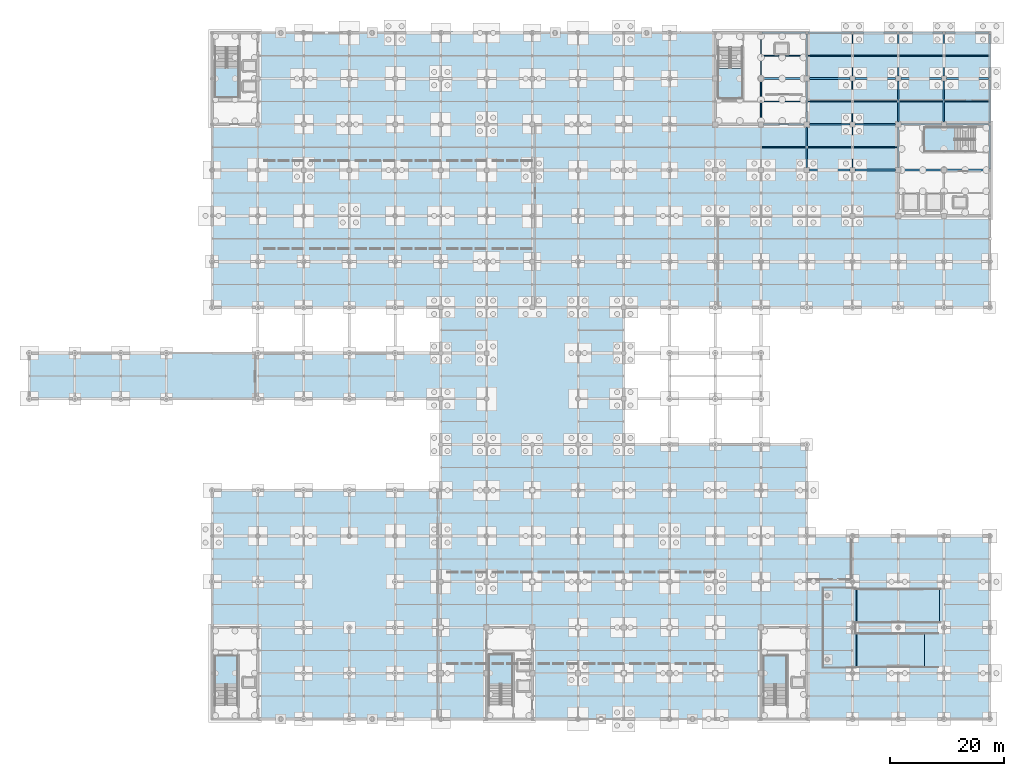
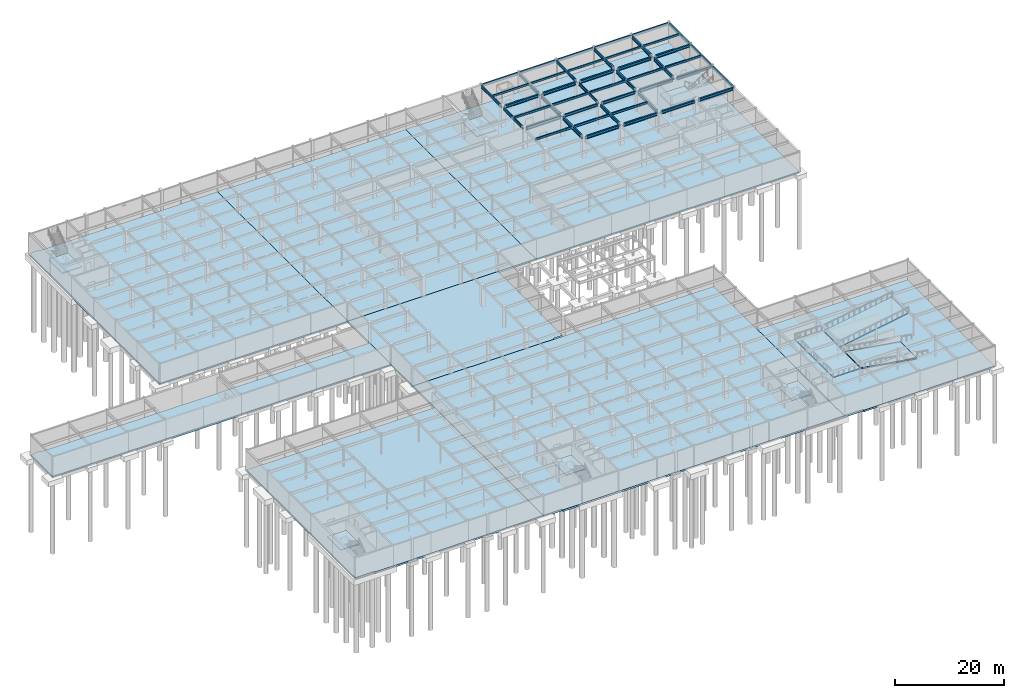
# One storey, part 53 of 105: 48 beams, 17 slabs, 6 elements without a shape of their own.
"""IFC4 building model written with IfcOpenShell, lengths in metres."""

from ifc_helpers import new_model, si_unit, direction, frame, origin, origin_2d, place, context, subcontext, project, spatial, polyline, hollow_rectangle, i_section, outline, extrude, material, layer, layer_set, material_profile, profile_set, type_object, element, aggregate, save


model = new_model("IFC4")

# Units and contexts
model_context = context("Model", 3, precision=1e-05, world=origin(), true_north=direction((0.0, 1.0)))
body_context = subcontext(model_context, "Body", "Model", "MODEL_VIEW")
ifc_project = project(units=[si_unit("LENGTHUNIT", "METRE"), si_unit("AREAUNIT", "SQUARE_METRE"), si_unit("VOLUMEUNIT", "CUBIC_METRE"), si_unit("PLANEANGLEUNIT", "RADIAN"), si_unit("MASSUNIT", "GRAM", prefix="KILO")], contexts=[model_context])

# Site, building, storey
site_placement = place(None, origin())
site = spatial("IfcSite", under=ifc_project, at=site_placement, CompositionType="ELEMENT")
building_placement = place(site_placement, origin())
building = spatial("IfcBuilding", under=site, at=building_placement, Name="Solmirada Galleria", CompositionType="ELEMENT")
storey_placement = place(building_placement, frame((0.0, 0.0, -4.800048828125)))
storey = spatial("IfcBuildingStorey", under=building, at=storey_placement, Name="B1", CompositionType="ELEMENT", Elevation=-4.800048828125)

# Beams
ifc_material_1 = material(Name="Steel S355 / ASTM A992 Grade 50", Category="steel")
ifc_material_profile_1 = material_profile(ifc_material_1, i_section(OverallWidth=0.323974609375, OverallDepth=0.611083984375, WebThickness=0.0126953125, FlangeThickness=0.01904296875, FilletRadius=0.014892578125, at=origin_2d()), Name="W24X104")
ifc_profile_set_1 = profile_set([ifc_material_profile_1], Name="Steel S355 / ASTM A992 Grade 50")
beam_type_1 = type_object("IfcBeamType", Name="BM-GIRD-W24A", PredefinedType="BEAM", material=ifc_profile_set_1)
for number, where, z_axis, x_axis, name in (
    (1, (136.449951171875, 112.0, 4.194580078125), (1.0, 0.0, 0.0), (0.0, 1.0, 0.0), "Primary beam L00 X(136..144, 112)"),
    (2, (144.449951171875, 96.0, 4.194580078125), (1.0, 0.0, 0.0), (0.0, 1.0, 0.0), "Primary beam L00 X(144..152, 96)"),
    (3, (144.449951171875, 112.0, 4.194580078125), (1.0, 0.0, 0.0), (0.0, 1.0, 0.0), "Primary beam L00 X(144..152, 112)"),
    (4, (152.449951171875, 96.0, 4.194580078125), (1.0, 0.0, 0.0), (0.0, 1.0, 0.0), "Primary beam L00 X(152..160, 96)"),
    (5, (152.449951171875, 112.0, 4.194580078125), (1.0, 0.0, 0.0), (0.0, 1.0, 0.0), "Primary beam L00 X(152..160, 112)"),
    (6, (160.449951171875, 96.0, 4.194580078125), (1.0, 0.0, 0.0), (0.0, 1.0, 0.0), "Primary beam L00 X(160..168, 96)"),
    (7, (160.449951171875, 112.0, 4.194580078125), (1.0, 0.0, 0.0), (0.0, 1.0, 0.0), "Primary beam L00 X(160..168, 112)"),
):
    element("IfcBeam", number, at=place(storey_placement, frame(where, z_axis=z_axis, x_axis=x_axis)), inside=storey, type_object=beam_type_1, Name=name, PredefinedType="BEAM", context=body_context, shape_type="SweptSolid", body=[
        extrude(i_section(OverallWidth=0.323974609375, OverallDepth=0.611083984375, WebThickness=0.0126953125, FlangeThickness=0.01904296875, FilletRadius=0.014892578125, at=origin_2d()), origin(), (0.0, 0.0, 1.0), 7.10009765625),
    ])
for number, where, z_axis, x_axis, name in (
    (8, (168.449951171875, 96.0, 4.194580078125), (1.0, 0.0, 0.0), (0.0, 1.0, 0.0), "Primary beam L00 X(168..176, 96)"),
    (9, (168.449951171875, 112.0, 4.194580078125), (1.0, 0.0, 0.0), (0.0, 1.0, 0.0), "Primary beam L00 X(168..176, 112)"),
):
    element("IfcBeam", number, at=place(storey_placement, frame(where, z_axis=z_axis, x_axis=x_axis)), inside=storey, type_object=beam_type_1, Name=name, PredefinedType="BEAM", context=body_context, shape_type="SweptSolid", body=[
        extrude(i_section(OverallWidth=0.323974609375, OverallDepth=0.611083984375, WebThickness=0.0126953125, FlangeThickness=0.01904296875, FilletRadius=0.014892578125, at=origin_2d()), origin(), (0.0, 0.0, 1.0), 7.34716796875),
    ])
ifc_material_profile_2 = material_profile(ifc_material_1, i_section(OverallWidth=0.22900390625, OverallDepth=0.612060546875, WebThickness=0.011962890625, FlangeThickness=0.01953125, FilletRadius=0.014892578125, at=origin_2d()), Name="W24X84")
ifc_profile_set_2 = profile_set([ifc_material_profile_2], Name="Steel S355 / ASTM A992 Grade 50")
beam_type_2 = type_object("IfcBeamType", Name="BM-GIRD-W24B", PredefinedType="BEAM", material=ifc_profile_set_2)
for number, where, z_axis, x_axis, name in (
    (10, (136.449951171875, 104.0, 4.194091796875), (1.0, 0.0, 0.0), (0.0, 1.0, 0.0), "Primary beam L00 X(136..144, 104)"),
    (11, (144.449951171875, 104.0, 4.194091796875), (1.0, 0.0, 0.0), (0.0, 1.0, 0.0), "Primary beam L00 X(144..152, 104)"),
    (12, (152.449951171875, 104.0, 4.194091796875), (1.0, 0.0, 0.0), (0.0, 1.0, 0.0), "Primary beam L00 X(152..160, 104)"),
    (13, (160.449951171875, 104.0, 4.194091796875), (1.0, 0.0, 0.0), (0.0, 1.0, 0.0), "Primary beam L00 X(160..168, 104)"),
):
    element("IfcBeam", number, at=place(storey_placement, frame(where, z_axis=z_axis, x_axis=x_axis)), inside=storey, type_object=beam_type_2, Name=name, PredefinedType="BEAM", context=body_context, shape_type="SweptSolid", body=[
        extrude(i_section(OverallWidth=0.22900390625, OverallDepth=0.612060546875, WebThickness=0.011962890625, FlangeThickness=0.01953125, FilletRadius=0.014892578125, at=origin_2d()), origin(), (0.0, 0.0, 1.0), 7.10009765625),
    ])
beam_1_placement = place(storey_placement, frame((168.449951171875, 104.0, 4.194091796875), z_axis=(1.0, 0.0, 0.0), x_axis=(0.0, 1.0, 0.0)))
element("IfcBeam", 14, at=beam_1_placement, inside=storey, type_object=beam_type_2, Name="Primary beam L00 X(168..176, 104)", PredefinedType="BEAM", context=body_context, shape_type="SweptSolid", body=[
    extrude(i_section(OverallWidth=0.22900390625, OverallDepth=0.612060546875, WebThickness=0.011962890625, FlangeThickness=0.01953125, FilletRadius=0.014892578125, at=origin_2d()), origin(), (0.0, 0.0, 1.0), 7.34716796875),
])
ifc_material_profile_3 = material_profile(ifc_material_1, i_section(OverallWidth=0.22802734375, OverallDepth=0.60302734375, WebThickness=0.010498046875, FlangeThickness=0.014892578125, FilletRadius=0.014892578125, at=origin_2d()), Name="W24X68")
ifc_profile_set_3 = profile_set([ifc_material_profile_3], Name="Steel S355 / ASTM A992 Grade 50")
beam_type_3 = type_object("IfcBeamType", Name="BM-GIRD-W24C", PredefinedType="BEAM", material=ifc_profile_set_3)
beam_2_placement = place(storey_placement, frame((136.0, 112.449951171875, 4.198486328125), z_axis=(0.0, 1.0, 0.0), x_axis=(-1.0, 0.0, 0.0)))
element("IfcBeam", 15, at=beam_2_placement, inside=storey, type_object=beam_type_3, Name="Primary girder L00 Y(136, 112..120)", PredefinedType="BEAM", context=body_context, shape_type="SweptSolid", body=[
    extrude(i_section(OverallWidth=0.22802734375, OverallDepth=0.60302734375, WebThickness=0.010498046875, FlangeThickness=0.014892578125, FilletRadius=0.014892578125, at=origin_2d()), origin(), (0.0, 0.0, 1.0), 7.34716796875),
])
beam_3_placement = place(storey_placement, frame((152.0, 96.449951171875, 4.198486328125), z_axis=(0.0, 1.0, 0.0), x_axis=(-1.0, 0.0, 0.0)))
element("IfcBeam", 16, at=beam_3_placement, inside=storey, type_object=beam_type_3, Name="Primary girder L00 Y(152, 96..104)", PredefinedType="BEAM", context=body_context, shape_type="SweptSolid", body=[
    extrude(i_section(OverallWidth=0.22802734375, OverallDepth=0.60302734375, WebThickness=0.010498046875, FlangeThickness=0.014892578125, FilletRadius=0.014892578125, at=origin_2d()), origin(), (0.0, 0.0, 1.0), 7.10009765625),
])
beam_4_placement = place(storey_placement, frame((152.0, 112.449951171875, 4.198486328125), z_axis=(0.0, 1.0, 0.0), x_axis=(-1.0, 0.0, 0.0)))
element("IfcBeam", 17, at=beam_4_placement, inside=storey, type_object=beam_type_3, Name="Primary girder L00 Y(152, 112..120)", PredefinedType="BEAM", context=body_context, shape_type="SweptSolid", body=[
    extrude(i_section(OverallWidth=0.22802734375, OverallDepth=0.60302734375, WebThickness=0.010498046875, FlangeThickness=0.014892578125, FilletRadius=0.014892578125, at=origin_2d()), origin(), (0.0, 0.0, 1.0), 7.34716796875),
])
ifc_material_profile_4 = material_profile(ifc_material_1, i_section(OverallWidth=0.177978515625, OverallDepth=0.59912109375, WebThickness=0.010009765625, FlangeThickness=0.0126953125, FilletRadius=0.013916015625, at=origin_2d()), Name="W24X55")
ifc_profile_set_4 = profile_set([ifc_material_profile_4], Name="Steel S355 / ASTM A992 Grade 50")
beam_type_4 = type_object("IfcBeamType", Name="BM-GIRD-W24D", PredefinedType="BEAM", material=ifc_profile_set_4)
for number, where, z_axis, x_axis, name in (
    (18, (136.0, 104.449951171875, 4.200439453125), (0.0, 1.0, 0.0), (-1.0, 0.0, 0.0), "Primary girder L00 Y(136, 104..112)"),
    (19, (152.0, 104.449951171875, 4.200439453125), (0.0, 1.0, 0.0), (-1.0, 0.0, 0.0), "Primary girder L00 Y(152, 104..112)"),
):
    element("IfcBeam", number, at=place(storey_placement, frame(where, z_axis=z_axis, x_axis=x_axis)), inside=storey, type_object=beam_type_4, Name=name, PredefinedType="BEAM", context=body_context, shape_type="SweptSolid", body=[
        extrude(i_section(OverallWidth=0.177978515625, OverallDepth=0.59912109375, WebThickness=0.010009765625, FlangeThickness=0.0126953125, FilletRadius=0.013916015625, at=origin_2d()), origin(), (0.0, 0.0, 1.0), 7.10009765625),
    ])
ifc_material_profile_5 = material_profile(ifc_material_1, i_section(OverallWidth=0.256103515625, OverallDepth=0.693115234375, WebThickness=0.014404296875, FlangeThickness=0.023681640625, FilletRadius=0.01806640625, at=origin_2d()), Name="W27X114")
ifc_profile_set_5 = profile_set([ifc_material_profile_5], Name="Steel S355 / ASTM A992 Grade 50")
beam_type_5 = type_object("IfcBeamType", Name="BM-GIRD-W27A", PredefinedType="BEAM", material=ifc_profile_set_5)
for number, where, z_axis, x_axis, name in (
    (20, (144.0, 96.449951171875, 4.153564453125), (0.0, 1.0, 0.0), (-1.0, 0.0, 0.0), "Primary girder L00 Y(144, 96..104)"),
    (21, (144.0, 104.449951171875, 4.153564453125), (0.0, 1.0, 0.0), (-1.0, 0.0, 0.0), "Primary girder L00 Y(144, 104..112)"),
):
    element("IfcBeam", number, at=place(storey_placement, frame(where, z_axis=z_axis, x_axis=x_axis)), inside=storey, type_object=beam_type_5, Name=name, PredefinedType="BEAM", context=body_context, shape_type="SweptSolid", body=[
        extrude(i_section(OverallWidth=0.256103515625, OverallDepth=0.693115234375, WebThickness=0.014404296875, FlangeThickness=0.023681640625, FilletRadius=0.01806640625, at=origin_2d()), origin(), (0.0, 0.0, 1.0), 7.10009765625),
    ])
beam_5_placement = place(storey_placement, frame((144.0, 112.449951171875, 4.153564453125), z_axis=(0.0, 1.0, 0.0), x_axis=(-1.0, 0.0, 0.0)))
element("IfcBeam", 22, at=beam_5_placement, inside=storey, type_object=beam_type_5, Name="Primary girder L00 Y(144, 112..120)", PredefinedType="BEAM", context=body_context, shape_type="SweptSolid", body=[
    extrude(i_section(OverallWidth=0.256103515625, OverallDepth=0.693115234375, WebThickness=0.014404296875, FlangeThickness=0.023681640625, FilletRadius=0.01806640625, at=origin_2d()), origin(), (0.0, 0.0, 1.0), 7.34716796875),
])
beam_6_placement = place(storey_placement, frame((168.0, 104.449951171875, 4.153564453125), z_axis=(0.0, 1.0, 0.0), x_axis=(-1.0, 0.0, 0.0)))
element("IfcBeam", 23, at=beam_6_placement, inside=storey, type_object=beam_type_5, Name="Primary girder L00 Y(168, 104..112)", PredefinedType="BEAM", context=body_context, shape_type="SweptSolid", body=[
    extrude(i_section(OverallWidth=0.256103515625, OverallDepth=0.693115234375, WebThickness=0.014404296875, FlangeThickness=0.023681640625, FilletRadius=0.01806640625, at=origin_2d()), origin(), (0.0, 0.0, 1.0), 7.10009765625),
])
beam_7_placement = place(storey_placement, frame((168.0, 112.449951171875, 4.153564453125), z_axis=(0.0, 1.0, 0.0), x_axis=(-1.0, 0.0, 0.0)))
element("IfcBeam", 24, at=beam_7_placement, inside=storey, type_object=beam_type_5, Name="Primary girder L00 Y(168, 112..120)", PredefinedType="BEAM", context=body_context, shape_type="SweptSolid", body=[
    extrude(i_section(OverallWidth=0.256103515625, OverallDepth=0.693115234375, WebThickness=0.014404296875, FlangeThickness=0.023681640625, FilletRadius=0.01806640625, at=origin_2d()), origin(), (0.0, 0.0, 1.0), 7.34716796875),
])
ifc_material_profile_6 = material_profile(ifc_material_1, i_section(OverallWidth=0.25390625, OverallDepth=0.68408203125, WebThickness=0.012451171875, FlangeThickness=0.018798828125, FilletRadius=0.01708984375, at=origin_2d()), Name="W27X94")
ifc_profile_set_6 = profile_set([ifc_material_profile_6], Name="Steel S355 / ASTM A992 Grade 50")
beam_type_6 = type_object("IfcBeamType", Name="BM-GIRD-W27B", PredefinedType="BEAM", material=ifc_profile_set_6)
for number, where, z_axis, x_axis, name in (
    (25, (160.0, 96.449951171875, 4.157958984375), (0.0, 1.0, 0.0), (-1.0, 0.0, 0.0), "Primary girder L00 Y(160, 96..104)"),
    (26, (160.0, 104.449951171875, 4.157958984375), (0.0, 1.0, 0.0), (-1.0, 0.0, 0.0), "Primary girder L00 Y(160, 104..112)"),
):
    element("IfcBeam", number, at=place(storey_placement, frame(where, z_axis=z_axis, x_axis=x_axis)), inside=storey, type_object=beam_type_6, Name=name, PredefinedType="BEAM", context=body_context, shape_type="SweptSolid", body=[
        extrude(i_section(OverallWidth=0.25390625, OverallDepth=0.68408203125, WebThickness=0.012451171875, FlangeThickness=0.018798828125, FilletRadius=0.01708984375, at=origin_2d()), origin(), (0.0, 0.0, 1.0), 7.10009765625),
    ])
beam_8_placement = place(storey_placement, frame((160.0, 112.449951171875, 4.157958984375), z_axis=(0.0, 1.0, 0.0), x_axis=(-1.0, 0.0, 0.0)))
element("IfcBeam", 27, at=beam_8_placement, inside=storey, type_object=beam_type_6, Name="Primary girder L00 Y(160, 112..120)", PredefinedType="BEAM", context=body_context, shape_type="SweptSolid", body=[
    extrude(i_section(OverallWidth=0.25390625, OverallDepth=0.68408203125, WebThickness=0.012451171875, FlangeThickness=0.018798828125, FilletRadius=0.01708984375, at=origin_2d()), origin(), (0.0, 0.0, 1.0), 7.34716796875),
])
ifc_material_2 = material(Name="Steel S355 / ASTM A500 Grade C", Category="steel")
ifc_material_profile_7 = material_profile(ifc_material_2, hollow_rectangle(XDim=0.202880859375, YDim=0.45703125, WallThickness=0.01171875, InnerFilletRadius=0.01171875, OuterFilletRadius=0.023681640625, at=origin_2d()), Name="HSS18X8X1/2")
ifc_profile_set_7 = profile_set([ifc_material_profile_7], Name="Steel S355 / ASTM A500 Grade C")
beam_type_7 = type_object("IfcBeamType", Name="BM-JST-W16A", PredefinedType="JOIST", material=ifc_profile_set_7)
beam_9_placement = place(storey_placement, frame((136.114013671875, 100.0, 4.271484375), z_axis=(1.0, 0.0, 0.0), x_axis=(0.0, 1.0, 0.0)))
element("IfcBeam", 28, at=beam_9_placement, inside=storey, type_object=beam_type_7, Name="Composite floor joist L00 (136..144, 100.0)", PredefinedType="JOIST", context=body_context, shape_type="SweptSolid", body=[
    extrude(hollow_rectangle(XDim=0.202880859375, YDim=0.45703125, WallThickness=0.01171875, InnerFilletRadius=0.01171875, OuterFilletRadius=0.023681640625, at=origin_2d()), origin(), (0.0, 0.0, 1.0), 7.758056640625),
])
beam_10_placement = place(storey_placement, frame((136.089111328125, 108.0, 4.271484375), z_axis=(1.0, 0.0, 0.0), x_axis=(0.0, 1.0, 0.0)))
element("IfcBeam", 29, at=beam_10_placement, inside=storey, type_object=beam_type_7, Name="Composite floor joist L00 (136..144, 108.0)", PredefinedType="JOIST", context=body_context, shape_type="SweptSolid", body=[
    extrude(hollow_rectangle(XDim=0.202880859375, YDim=0.45703125, WallThickness=0.01171875, InnerFilletRadius=0.01171875, OuterFilletRadius=0.023681640625, at=origin_2d()), origin(), (0.0, 0.0, 1.0), 7.782958984375),
])
for number, where, z_axis, x_axis, name in (
    (30, (136.114013671875, 116.0, 4.271484375), (1.0, 0.0, 0.0), (0.0, 1.0, 0.0), "Composite floor joist L00 (136..144, 116.0)"),
    (31, (144.1279296875, 100.0, 4.271484375), (1.0, 0.0, 0.0), (0.0, 1.0, 0.0), "Composite floor joist L00 (144..152, 100.0)"),
):
    element("IfcBeam", number, at=place(storey_placement, frame(where, z_axis=z_axis, x_axis=x_axis)), inside=storey, type_object=beam_type_7, Name=name, PredefinedType="JOIST", context=body_context, shape_type="SweptSolid", body=[
        extrude(hollow_rectangle(XDim=0.202880859375, YDim=0.45703125, WallThickness=0.01171875, InnerFilletRadius=0.01171875, OuterFilletRadius=0.023681640625, at=origin_2d()), origin(), (0.0, 0.0, 1.0), 7.758056640625),
    ])
beam_11_placement = place(storey_placement, frame((144.1279296875, 108.0, 4.271484375), z_axis=(1.0, 0.0, 0.0), x_axis=(0.0, 1.0, 0.0)))
element("IfcBeam", 32, at=beam_11_placement, inside=storey, type_object=beam_type_7, Name="Composite floor joist L00 (144..152, 108.0)", PredefinedType="JOIST", context=body_context, shape_type="SweptSolid", body=[
    extrude(hollow_rectangle(XDim=0.202880859375, YDim=0.45703125, WallThickness=0.01171875, InnerFilletRadius=0.01171875, OuterFilletRadius=0.023681640625, at=origin_2d()), origin(), (0.0, 0.0, 1.0), 7.782958984375),
])
beam_12_placement = place(storey_placement, frame((144.1279296875, 116.0, 4.271484375), z_axis=(1.0, 0.0, 0.0), x_axis=(0.0, 1.0, 0.0)))
element("IfcBeam", 33, at=beam_12_placement, inside=storey, type_object=beam_type_7, Name="Composite floor joist L00 (144..152, 116.0)", PredefinedType="JOIST", context=body_context, shape_type="SweptSolid", body=[
    extrude(hollow_rectangle(XDim=0.202880859375, YDim=0.45703125, WallThickness=0.01171875, InnerFilletRadius=0.01171875, OuterFilletRadius=0.023681640625, at=origin_2d()), origin(), (0.0, 0.0, 1.0), 7.758056640625),
])
beam_13_placement = place(storey_placement, frame((152.114013671875, 100.0, 4.271484375), z_axis=(1.0, 0.0, 0.0), x_axis=(0.0, 1.0, 0.0)))
element("IfcBeam", 34, at=beam_13_placement, inside=storey, type_object=beam_type_7, Name="Composite floor joist L00 (152..160, 100.0)", PredefinedType="JOIST", context=body_context, shape_type="SweptSolid", body=[
    extrude(hollow_rectangle(XDim=0.202880859375, YDim=0.45703125, WallThickness=0.01171875, InnerFilletRadius=0.01171875, OuterFilletRadius=0.023681640625, at=origin_2d()), origin(), (0.0, 0.0, 1.0), 7.759033203125),
])
beam_14_placement = place(storey_placement, frame((152.089111328125, 108.0, 4.271484375), z_axis=(1.0, 0.0, 0.0), x_axis=(0.0, 1.0, 0.0)))
element("IfcBeam", 35, at=beam_14_placement, inside=storey, type_object=beam_type_7, Name="Composite floor joist L00 (152..160, 108.0)", PredefinedType="JOIST", context=body_context, shape_type="SweptSolid", body=[
    extrude(hollow_rectangle(XDim=0.202880859375, YDim=0.45703125, WallThickness=0.01171875, InnerFilletRadius=0.01171875, OuterFilletRadius=0.023681640625, at=origin_2d()), origin(), (0.0, 0.0, 1.0), 7.783935546875),
])
beam_15_placement = place(storey_placement, frame((152.114013671875, 116.0, 4.271484375), z_axis=(1.0, 0.0, 0.0), x_axis=(0.0, 1.0, 0.0)))
element("IfcBeam", 36, at=beam_15_placement, inside=storey, type_object=beam_type_7, Name="Composite floor joist L00 (152..160, 116.0)", PredefinedType="JOIST", context=body_context, shape_type="SweptSolid", body=[
    extrude(hollow_rectangle(XDim=0.202880859375, YDim=0.45703125, WallThickness=0.01171875, InnerFilletRadius=0.01171875, OuterFilletRadius=0.023681640625, at=origin_2d()), origin(), (0.0, 0.0, 1.0), 7.759033203125),
])
for number, where, z_axis, x_axis, name in (
    (37, (160.126953125, 108.0, 4.271484375), (1.0, 0.0, 0.0), (0.0, 1.0, 0.0), "Composite floor joist L00 (160..168, 108.0)"),
    (38, (160.126953125, 116.0, 4.271484375), (1.0, 0.0, 0.0), (0.0, 1.0, 0.0), "Composite floor joist L00 (160..168, 116.0)"),
):
    element("IfcBeam", number, at=place(storey_placement, frame(where, z_axis=z_axis, x_axis=x_axis)), inside=storey, type_object=beam_type_7, Name=name, PredefinedType="JOIST", context=body_context, shape_type="SweptSolid", body=[
        extrude(hollow_rectangle(XDim=0.202880859375, YDim=0.45703125, WallThickness=0.01171875, InnerFilletRadius=0.01171875, OuterFilletRadius=0.023681640625, at=origin_2d()), origin(), (0.0, 0.0, 1.0), 7.7451171875),
    ])
for number, where, z_axis, x_axis, name in (
    (39, (168.1279296875, 108.0, 4.271484375), (1.0, 0.0, 0.0), (0.0, 1.0, 0.0), "Composite floor joist L00 (168..176, 108.0)"),
    (40, (168.1279296875, 116.0, 4.271484375), (1.0, 0.0, 0.0), (0.0, 1.0, 0.0), "Composite floor joist L00 (168..176, 116.0)"),
):
    element("IfcBeam", number, at=place(storey_placement, frame(where, z_axis=z_axis, x_axis=x_axis)), inside=storey, type_object=beam_type_7, Name=name, PredefinedType="JOIST", context=body_context, shape_type="SweptSolid", body=[
        extrude(hollow_rectangle(XDim=0.202880859375, YDim=0.45703125, WallThickness=0.01171875, InnerFilletRadius=0.01171875, OuterFilletRadius=0.023681640625, at=origin_2d()), origin(), (0.0, 0.0, 1.0), 7.719482421875),
    ])
ifc_material_profile_8 = material_profile(ifc_material_2, hollow_rectangle(XDim=0.304931640625, YDim=0.55908203125, WallThickness=0.01171875, InnerFilletRadius=0.01171875, OuterFilletRadius=0.023681640625, at=origin_2d()), Name="HSS22X12X1/2")
ifc_profile_set_8 = profile_set([ifc_material_profile_8], Name="Steel S355 / ASTM A500 Grade C")
beam_type_8 = type_object("IfcBeamType", Name="BM-SPAND-W21", PredefinedType="SPANDREL", material=ifc_profile_set_8)
for number, where, z_axis, x_axis, name in (
    (41, (136.202880859375, 120.0, 4.220458984375), (1.0, 0.0, 0.0), (0.0, 1.0, 0.0), "Primary beam L00 X(136..144, 120)"),
    (42, (144.202880859375, 120.0, 4.220458984375), (1.0, 0.0, 0.0), (0.0, 1.0, 0.0), "Primary beam L00 X(144..152, 120)"),
    (43, (152.202880859375, 120.0, 4.220458984375), (1.0, 0.0, 0.0), (0.0, 1.0, 0.0), "Primary beam L00 X(152..160, 120)"),
    (44, (160.202880859375, 120.0, 4.220458984375), (1.0, 0.0, 0.0), (0.0, 1.0, 0.0), "Primary beam L00 X(160..168, 120)"),
    (45, (168.202880859375, 120.0, 4.220458984375), (1.0, 0.0, 0.0), (0.0, 1.0, 0.0), "Primary beam L00 X(168..176, 120)"),
    (46, (176.0, 96.202880859375, 4.220458984375), (0.0, 1.0, 0.0), (-1.0, 0.0, 0.0), "Primary girder L00 Y(176, 96..104)"),
    (47, (176.0, 104.202880859375, 4.220458984375), (0.0, 1.0, 0.0), (-1.0, 0.0, 0.0), "Primary girder L00 Y(176, 104..112)"),
    (48, (176.0, 112.202880859375, 4.220458984375), (0.0, 1.0, 0.0), (-1.0, 0.0, 0.0), "Primary girder L00 Y(176, 112..120)"),
):
    element("IfcBeam", number, at=place(storey_placement, frame(where, z_axis=z_axis, x_axis=x_axis)), inside=storey, type_object=beam_type_8, Name=name, PredefinedType="SPANDREL", context=body_context, shape_type="SweptSolid", body=[
        extrude(hollow_rectangle(XDim=0.304931640625, YDim=0.55908203125, WallThickness=0.01171875, InnerFilletRadius=0.01171875, OuterFilletRadius=0.023681640625, at=origin_2d()), origin(), (0.0, 0.0, 1.0), 7.59423828125),
    ])

# Slabs
ifc_material_3 = material(Name="Concrete C35/45", Category="concrete")
ifc_layer_1 = layer(ifc_material_3, 0.39990234375)
ifc_layer_set_1 = layer_set([ifc_layer_1], Name="Concrete C35/45")
slab_type_1 = type_object("IfcSlabType", Name="SLB-BASE-400", PredefinedType="BASESLAB", material=ifc_layer_set_1)
slab_1_placement = place(storey_placement, frame((0.0, 0.0, -0.39990234375)))
element("IfcSlab", 49, at=slab_1_placement, inside=storey, type_object=slab_type_1, Name="Slab B1-W-ENTRY", PredefinedType="BASESLAB", context=body_context, shape_type="SweptSolid", body=[
    extrude(outline(polyline([(8.0, 56.0), (12.0, 56.0), (12.0, 56.0), (80.0, 56.0), (80.0, 64.0), (10.0, 64.0), (10.0, 64.300048828125), (8.0, 64.0), (8.0, 56.0)])), origin(), (0.0, 0.0, 1.0), 0.39990234375),
])
slab_2_placement = place(storey_placement, frame((0.0, 0.0, -0.39990234375)))
element("IfcSlab", 50, at=slab_2_placement, inside=storey, type_object=slab_type_1, Name="Slab B1-NW", PredefinedType="BASESLAB", context=body_context, shape_type="SweptSolid", body=[
    extrude(outline(polyline([(40.0, 72.0), (44.0, 72.0), (44.0, 72.0), (80.0, 72.0), (80.0, 120.0), (42.0, 120.0), (42.0, 120.300048828125), (40.0, 120.0), (40.0, 72.0)])), origin(), (0.0, 0.0, 1.0), 0.39990234375),
])
slab_3_placement = place(storey_placement, frame((0.0, 0.0, -0.39990234375)))
element("IfcSlab", 51, at=slab_3_placement, inside=storey, type_object=slab_type_1, Name="Slab B1-NC", PredefinedType="BASESLAB", context=body_context, shape_type="SweptSolid", body=[
    extrude(outline(polyline([(80.0, 72.0), (84.0, 72.0), (84.0, 72.0), (120.0, 72.0), (120.0, 120.0), (82.0, 120.0), (82.0, 120.300048828125), (80.0, 120.0), (80.0, 72.0)])), origin(), (0.0, 0.0, 1.0), 0.39990234375),
])
slab_4_placement = place(storey_placement, frame((0.0, 0.0, -0.39990234375)))
element("IfcSlab", 52, at=slab_4_placement, inside=storey, type_object=slab_type_1, Name="Slab B1-NE", PredefinedType="BASESLAB", context=body_context, shape_type="SweptSolid", body=[
    extrude(outline(polyline([(120.0, 72.0), (124.0, 72.0), (124.0, 72.0), (176.0, 72.0), (176.0, 120.0), (122.0, 120.0), (122.0, 120.300048828125), (120.0, 120.0), (120.0, 72.0)])), origin(), (0.0, 0.0, 1.0), 0.39990234375),
])
slab_5_placement = place(storey_placement, frame((0.0, 0.0, -0.39990234375)))
element("IfcSlab", 53, at=slab_5_placement, inside=storey, type_object=slab_type_1, Name="Slab B1-ATR", PredefinedType="BASESLAB", context=body_context, shape_type="SweptSolid", body=[
    extrude(outline(polyline([(80.0, 48.0), (110.0, 48.0), (110.0, 48.25), (112.0, 48.25), (112.0, 72.0), (80.0, 72.0), (80.0, 48.0)])), origin(), (0.0, 0.0, 1.0), 0.39990234375),
])
slab_6_placement = place(storey_placement, frame((0.0, 0.0, -0.39990234375)))
element("IfcSlab", 54, at=slab_6_placement, inside=storey, type_object=slab_type_1, Name="Slab B1-SW", PredefinedType="BASESLAB", context=body_context, shape_type="SweptSolid", body=[
    extrude(outline(polyline([(40.0, 0.0), (44.0, 0.0), (44.0, -0.300048828125), (80.0, 0.0), (80.0, 40.0), (42.0, 40.0), (42.0, 40.0), (40.0, 40.0), (40.0, 0.0)])), origin(), (0.0, 0.0, 1.0), 0.39990234375),
])
slab_7_placement = place(storey_placement, frame((0.0, 0.0, -0.39990234375)))
element("IfcSlab", 55, at=slab_7_placement, inside=storey, type_object=slab_type_1, Name="Slab B1-SC", PredefinedType="BASESLAB", context=body_context, shape_type="SweptSolid", body=[
    extrude(outline(polyline([(80.0, 0.0), (84.0, 0.0), (84.0, -0.300048828125), (144.0, 0.0), (144.0, 48.0), (82.0, 48.0), (82.0, 48.0), (80.0, 48.0), (80.0, 0.0)])), origin(), (0.0, 0.0, 1.0), 0.39990234375),
])
slab_8_placement = place(storey_placement, frame((0.0, 0.0, -0.39990234375)))
element("IfcSlab", 56, at=slab_8_placement, inside=storey, type_object=slab_type_1, Name="Slab B1-ER", PredefinedType="BASESLAB", context=body_context, shape_type="SweptSolid", body=[
    extrude(outline(polyline([(144.0, 0.0), (148.0, 0.0), (148.0, -0.300048828125), (176.0, 0.0), (176.0, 32.0), (146.0, 32.0), (146.0, 32.0), (144.0, 32.0), (144.0, 0.0)])), origin(), (0.0, 0.0, 1.0), 0.39990234375),
])

# Stair, slab
stair_type_1 = type_object("IfcStairType", Name="STR-DOG-200-H48", PredefinedType="HALF_TURN_STAIR", material=ifc_material_3)
stair_1_placement = place(storey_placement, origin())
stair_1 = element("IfcStair", 57, at=stair_1_placement, inside=storey, type_object=stair_type_1, Name="B1 Northwest Sales Core Exit Stair ST1", PredefinedType="HALF_TURN_STAIR")
ifc_layer_2 = layer(ifc_material_3, 0.199951171875)
ifc_layer_set_2 = layer_set([ifc_layer_2], Name="Concrete C35/45")
slab_type_2 = type_object("IfcSlabType", Name="SLB-LAND-200", PredefinedType="LANDING", material=ifc_layer_set_2)
slab_9_placement = place(storey_placement, frame((0.0, 0.0, 2.199951171875)))
slab_9 = element("IfcSlab", 58, at=slab_9_placement, type_object=slab_type_2, Name="ST1 landing 1", PredefinedType="LANDING", context=body_context, shape_type="SweptSolid", body=[
    extrude(outline(polyline([(40.5, 113.860107421875), (40.5, 108.699951171875), (44.64990234375, 108.699951171875), (44.64990234375, 113.860107421875), (40.5, 113.860107421875)])), origin(), (0.0, 0.0, 1.0), 0.2001953125),
])
aggregate(stair_1, [slab_9])

stair_2_placement = place(storey_placement, origin())
stair_2 = element("IfcStair", 59, at=stair_2_placement, inside=storey, type_object=stair_type_1, Name="B1 South Sales Core Exit Stair ST2", PredefinedType="HALF_TURN_STAIR")
slab_10_placement = place(storey_placement, frame((0.0, 0.0, 2.199951171875)))
slab_10 = element("IfcSlab", 60, at=slab_10_placement, type_object=slab_type_2, Name="ST2 landing 1", PredefinedType="LANDING", context=body_context, shape_type="SweptSolid", body=[
    extrude(outline(polyline([(92.550048828125, 6.139892578125), (92.550048828125, 11.300048828125), (88.39990234375, 11.300048828125), (88.39990234375, 6.139892578125), (92.550048828125, 6.139892578125)])), origin(), (0.0, 0.0, 1.0), 0.2001953125),
])
aggregate(stair_2, [slab_10])

stair_type_2 = type_object("IfcStairType", Name="STR-DOG-205-H48", PredefinedType="HALF_TURN_STAIR", material=ifc_material_3)
stair_3_placement = place(storey_placement, origin())
stair_3 = element("IfcStair", 61, at=stair_3_placement, inside=storey, type_object=stair_type_2, Name="B1 North Avenue High-Rise Core Exit Stair ST3", PredefinedType="HALF_TURN_STAIR")
slab_11_placement = place(storey_placement, frame((0.0, 0.0, 2.199951171875)))
slab_11 = element("IfcSlab", 62, at=slab_11_placement, type_object=slab_type_2, Name="ST3 landing 1", PredefinedType="LANDING", context=body_context, shape_type="SweptSolid", body=[
    extrude(outline(polyline([(128.5, 113.81005859375), (128.5, 108.5), (132.75, 108.5), (132.75, 113.81005859375), (128.5, 113.81005859375)])), origin(), (0.0, 0.0, 1.0), 0.2001953125),
])
aggregate(stair_3, [slab_11])

stair_4_placement = place(storey_placement, origin())
stair_4 = element("IfcStair", 63, at=stair_4_placement, inside=storey, type_object=stair_type_2, Name="B1 East Avenue High-Rise and Freight Core Exit Stair ST4", PredefinedType="HALF_TURN_STAIR")
slab_12_placement = place(storey_placement, frame((0.0, 0.0, 2.199951171875)))
slab_12 = element("IfcSlab", 64, at=slab_12_placement, type_object=slab_type_2, Name="ST4 landing 1", PredefinedType="LANDING", context=body_context, shape_type="SweptSolid", body=[
    extrude(outline(polyline([(169.81005859375, 103.5), (164.5, 103.5), (164.5, 99.25), (169.81005859375, 99.25), (169.81005859375, 103.5)])), origin(), (0.0, 0.0, 1.0), 0.2001953125),
])
aggregate(stair_4, [slab_12])

stair_type_3 = type_object("IfcStairType", Name="STR-DOG-195-H48", PredefinedType="HALF_TURN_STAIR", material=ifc_material_3)
stair_5_placement = place(storey_placement, origin())
stair_5 = element("IfcStair", 65, at=stair_5_placement, inside=storey, type_object=stair_type_3, Name="B1 Food Hall Pavilion Core Exit Stair ST5", PredefinedType="HALF_TURN_STAIR")
slab_13_placement = place(storey_placement, frame((0.0, 0.0, 2.199951171875)))
slab_13 = element("IfcSlab", 66, at=slab_13_placement, type_object=slab_type_2, Name="ST5 landing 1", PredefinedType="LANDING", context=body_context, shape_type="SweptSolid", body=[
    extrude(outline(polyline([(44.5, 6.090087890625), (44.5, 11.10009765625), (40.449951171875, 11.10009765625), (40.449951171875, 6.090087890625), (44.5, 6.090087890625)])), origin(), (0.0, 0.0, 1.0), 0.2001953125),
])
aggregate(stair_5, [slab_13])

stair_6_placement = place(storey_placement, origin())
stair_6 = element("IfcStair", 67, at=stair_6_placement, inside=storey, type_object=stair_type_3, Name="B1 Southeast Podium Core Exit Stair ST6", PredefinedType="HALF_TURN_STAIR")
slab_14_placement = place(storey_placement, frame((0.0, 0.0, 2.199951171875)))
slab_14 = element("IfcSlab", 68, at=slab_14_placement, type_object=slab_type_2, Name="ST6 landing 1", PredefinedType="LANDING", context=body_context, shape_type="SweptSolid", body=[
    extrude(outline(polyline([(140.5, 6.090087890625), (140.5, 11.10009765625), (136.449951171875, 11.10009765625), (136.449951171875, 6.090087890625), (140.5, 6.090087890625)])), origin(), (0.0, 0.0, 1.0), 0.2001953125),
])
aggregate(stair_6, [slab_14])

# Slabs
ifc_layer_3 = layer(ifc_material_3, 0.25)
ifc_layer_set_3 = layer_set([ifc_layer_3], Name="Concrete C35/45")
slab_type_3 = type_object("IfcSlabType", Name="SLB-LAND-250", PredefinedType="FLOOR", material=ifc_layer_set_3)
slab_15_placement = place(storey_placement, frame((0.0, 0.0, 2.050048828125)))
element("IfcSlab", 69, at=slab_15_placement, inside=storey, type_object=slab_type_3, Name="Vehicle ramp intermediate turn deck", PredefinedType="FLOOR", context=body_context, shape_type="SweptSolid", body=[
    extrude(outline(polyline([(146.800048828125, 8.89990234375), (152.60009765625, 8.89990234375), (152.60009765625, 23.0), (146.800048828125, 23.0), (146.800048828125, 8.89990234375)])), origin(), (0.0, 0.0, 1.0), 0.25),
])
ifc_layer_4 = layer(ifc_material_3, 0.25)
ifc_layer_set_4 = layer_set([ifc_layer_4], Name="Concrete C35/45")
slab_type_4 = type_object("IfcSlabType", Name="SLB-RAMP-250", PredefinedType="FLOOR", material=ifc_layer_set_4)
slab_16_placement = place(storey_placement, frame((164.60009765625, 9.0, 0.35009765625), z_axis=(0.158960773927, 0.0, 0.987284899283), x_axis=(-0.987284899283, 0.0, 0.158960773927)))
element("IfcSlab", 70, at=slab_16_placement, inside=storey, type_object=slab_type_4, Name="Basement customer parking vehicle ramp lower structural slab VR1 VRS1", PredefinedType="FLOOR", context=body_context, shape_type="SweptSolid", body=[
    extrude(outline(polyline([(0.0, 0.0), (11.952019965759801, 0.0), (11.952019965759801, -5.999999999999999), (0.0, -5.999999999999999), (0.0, 0.0)])), origin(), (0.0, 0.0, -1.0), 0.25),
])
slab_17_placement = place(storey_placement, frame((152.800048828125, 16.800048828125, 2.25), z_axis=(-0.171053544446, 0.0, 0.985261734227), x_axis=(0.985261734227, 0.0, 0.171053544446)))
element("IfcSlab", 71, at=slab_17_placement, inside=storey, type_object=slab_type_4, Name="Basement customer parking vehicle ramp upper structural slab VR1 VRS1", PredefinedType="FLOOR", context=body_context, shape_type="SweptSolid", body=[
    extrude(outline(polyline([(0.0, 0.0), (14.615306617020963, 0.0), (14.615306617020963, 6.0), (0.0, 6.0), (0.0, 0.0)])), origin(), (0.0, 0.0, -1.0), 0.25),
])

save(model, "model.ifc")
